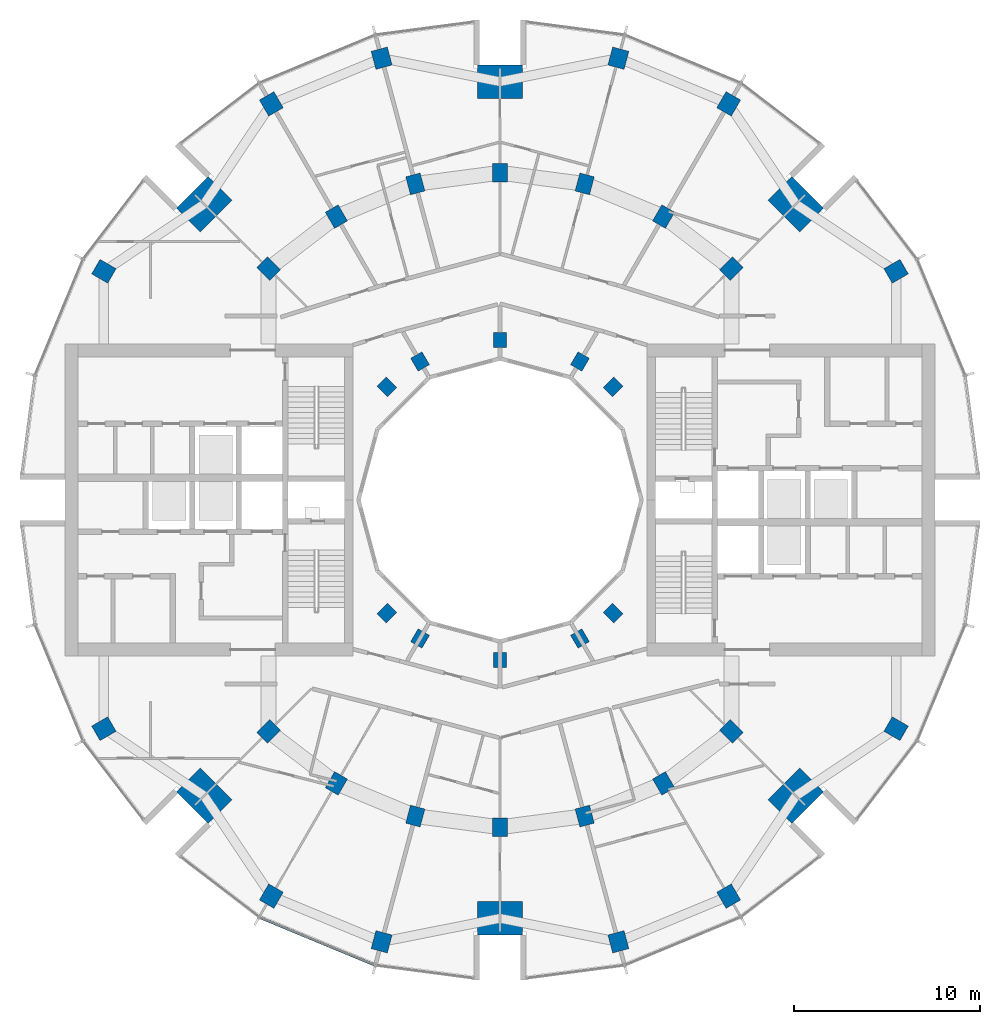
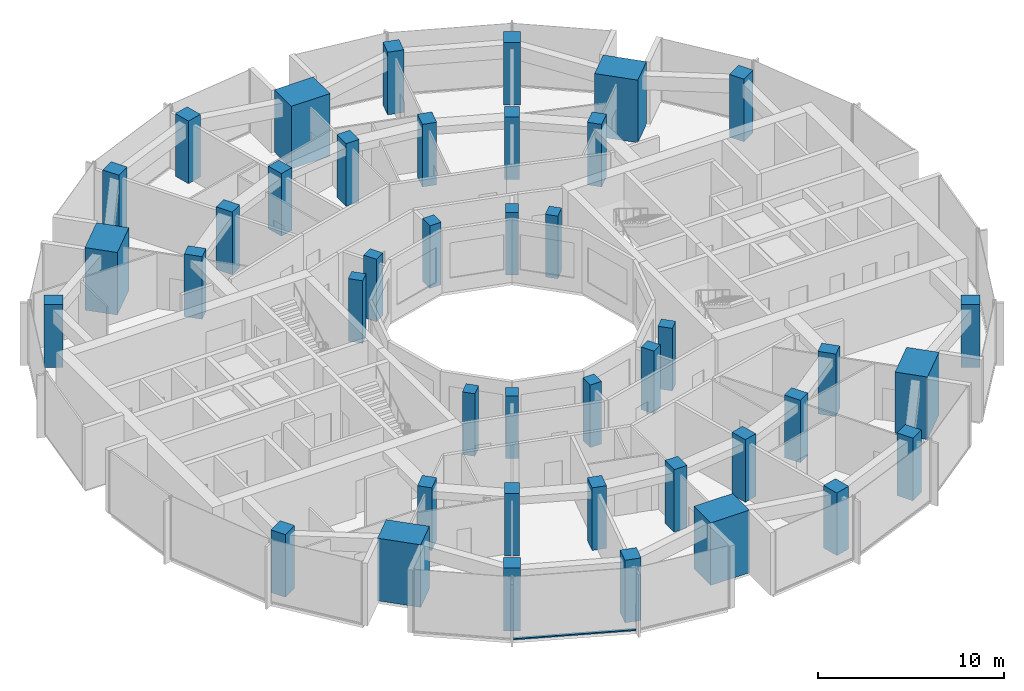
# One storey, part 1 of 15: 42 columns, 1 member, 1 element without a shape of its own.
"""IFC4 building model written with IfcOpenShell, lengths in metres."""

from ifc_helpers import new_model, si_unit, direction, frame, origin, origin_2d, place, context, subcontext, project, spatial, rectangle, extrude, material, layer, layer_set, material_profile, profile_set, type_object, element, aggregate, save


model = new_model("IFC4")

# Units and contexts
model_context = context("Model", 3, precision=1e-05, world=origin(), true_north=direction((0.0, 1.0)))
body_context = subcontext(model_context, "Body", "Model", "MODEL_VIEW")
ifc_project = project(units=[si_unit("LENGTHUNIT", "METRE"), si_unit("AREAUNIT", "SQUARE_METRE"), si_unit("VOLUMEUNIT", "CUBIC_METRE"), si_unit("PLANEANGLEUNIT", "RADIAN"), si_unit("MASSUNIT", "GRAM", prefix="KILO")], contexts=[model_context])

# Site, building, storey
site_placement = place(None, origin())
site = spatial("IfcSite", under=ifc_project, at=site_placement, CompositionType="ELEMENT")
building_placement = place(site_placement, origin())
building = spatial("IfcBuilding", under=site, at=building_placement, Name="Torre Brocal", CompositionType="ELEMENT")
storey_placement = place(building_placement, frame((0.0, 0.0, 186.39990234375)))
storey = spatial("IfcBuildingStorey", under=building, at=storey_placement, Name="L43", CompositionType="ELEMENT", Elevation=186.39990234375)

# Columns
ifc_material_1 = material(Name="Concrete C70", Category="concrete")
ifc_material_profile_1 = material_profile(ifc_material_1, rectangle(XDim=1.0, YDim=0.800048828125, at=origin_2d()), Name="RC 1000X800")
ifc_profile_set_1 = profile_set([ifc_material_profile_1], Name="Concrete C70")
column_type_1 = type_object("IfcColumnType", Name="RC COLUMN 1000X800 C70", PredefinedType="COLUMN", material=ifc_profile_set_1)
for number, where, z_axis, x_axis, name in (
    (1, (92.445068359375, 87.445068359375, 0.0), (0.0, 0.0, 1.0), (0.707106781187, 0.707106781187, 0.0), "Column C-M03"),
    (2, (88.800048828125, 90.241943359375, 0.0), (0.0, 0.0, 1.0), (0.5, 0.866025403784, 0.0), "Column C-M04"),
    (3, (84.55517578125, 92.000244140625, 0.0), (0.0, 0.0, 1.0), (0.258819045103, 0.965925826289, 0.0), "Column C-M05"),
    (4, (80.0, 92.60009765625, 0.0), (0.0, 0.0, 1.0), (0.0, 1.0, 0.0), "Column C-M06"),
    (5, (75.44482421875, 92.000244140625, 0.0), (0.0, 0.0, 1.0), (-0.258819045103, 0.965925826289, 0.0), "Column C-M07"),
    (6, (71.199951171875, 90.241943359375, 0.0), (0.0, 0.0, 1.0), (-0.5, 0.866025403784, 0.0), "Column C-M08"),
    (7, (67.554931640625, 87.445068359375, 0.0), (0.0, 0.0, 1.0), (-0.707106781187, 0.707106781187, 0.0), "Column C-M09"),
    (8, (67.554931640625, 62.554931640625, 0.0), (0.0, 0.0, 1.0), (-0.707106781187, -0.707106781187, 0.0), "Column C-M15"),
    (9, (71.199951171875, 59.758056640625, 0.0), (0.0, 0.0, 1.0), (-0.5, -0.866025403784, 0.0), "Column C-M16"),
    (10, (75.44482421875, 57.999755859375, 0.0), (0.0, 0.0, 1.0), (-0.258819045103, -0.965925826289, 0.0), "Column C-M17"),
    (11, (80.0, 57.39990234375, 0.0), (0.0, 0.0, 1.0), (0.0, -1.0, 0.0), "Column C-M18"),
    (12, (84.55517578125, 57.999755859375, 0.0), (0.0, 0.0, 1.0), (0.258819045103, -0.965925826289, 0.0), "Column C-M19"),
    (13, (88.800048828125, 59.758056640625, 0.0), (0.0, 0.0, 1.0), (0.5, -0.866025403784, 0.0), "Column C-M20"),
    (14, (92.445068359375, 62.554931640625, 0.0), (0.0, 0.0, 1.0), (0.707106781187, -0.707106781187, 0.0), "Column C-M21"),
):
    element("IfcColumn", number, at=place(storey_placement, frame(where, z_axis=z_axis, x_axis=x_axis)), inside=storey, type_object=column_type_1, Name=name, PredefinedType="COLUMN", context=body_context, shape_type="SweptSolid", body=[
        extrude(rectangle(XDim=1.0, YDim=0.800048828125, at=origin_2d()), origin(), (0.0, 0.0, 1.0), 4.10009765625),
    ])
ifc_material_2 = material(Name="Concrete C70", Category="concrete")
ifc_material_profile_2 = material_profile(ifc_material_2, rectangle(XDim=1.0, YDim=0.89990234375, at=origin_2d()), Name="RC 1000X900")
ifc_profile_set_2 = profile_set([ifc_material_profile_2], Name="Concrete C70")
column_type_2 = type_object("IfcColumnType", Name="RC COLUMN 1000X900 C70", PredefinedType="COLUMN", material=ifc_profile_set_2)
for number, where, z_axis, x_axis, name in (
    (15, (101.30419921875, 87.300048828125, 0.0), (0.0, 0.0, 1.0), (0.866025403784, 0.5, 0.0), "Column C-O02"),
    (16, (92.300048828125, 96.30419921875, 0.0), (0.0, 0.0, 1.0), (0.5, 0.866025403784, 0.0), "Column C-O04"),
    (17, (86.366943359375, 98.76171875, 0.0), (0.0, 0.0, 1.0), (0.258819045103, 0.965925826289, 0.0), "Column C-O05"),
    (18, (73.633056640625, 98.76171875, 0.0), (0.0, 0.0, 1.0), (-0.258819045103, 0.965925826289, 0.0), "Column C-O07"),
    (19, (67.699951171875, 96.30419921875, 0.0), (0.0, 0.0, 1.0), (-0.5, 0.866025403784, 0.0), "Column C-O08"),
    (20, (58.69580078125, 87.300048828125, 0.0), (0.0, 0.0, 1.0), (-0.866025403784, 0.5, 0.0), "Column C-O10"),
    (21, (58.69580078125, 62.699951171875, 0.0), (0.0, 0.0, 1.0), (-0.866025403784, -0.5, 0.0), "Column C-O14"),
    (22, (67.699951171875, 53.69580078125, 0.0), (0.0, 0.0, 1.0), (-0.5, -0.866025403784, 0.0), "Column C-O16"),
    (23, (73.633056640625, 51.23828125, 0.0), (0.0, 0.0, 1.0), (-0.258819045103, -0.965925826289, 0.0), "Column C-O17"),
    (24, (86.366943359375, 51.23828125, 0.0), (0.0, 0.0, 1.0), (0.258819045103, -0.965925826289, 0.0), "Column C-O19"),
    (25, (92.300048828125, 53.69580078125, 0.0), (0.0, 0.0, 1.0), (0.5, -0.866025403784, 0.0), "Column C-O20"),
    (26, (101.30419921875, 62.699951171875, 0.0), (0.0, 0.0, 1.0), (0.866025403784, -0.5, 0.0), "Column C-O22"),
):
    element("IfcColumn", number, at=place(storey_placement, frame(where, z_axis=z_axis, x_axis=x_axis)), inside=storey, type_object=column_type_2, Name=name, PredefinedType="COLUMN", context=body_context, shape_type="SweptSolid", body=[
        extrude(rectangle(XDim=1.0, YDim=0.89990234375, at=origin_2d()), origin(), (0.0, 0.0, 1.0), 4.10009765625),
    ])
ifc_material_3 = material(Name="Concrete C70", Category="concrete")
ifc_material_profile_3 = material_profile(ifc_material_3, rectangle(XDim=1.800048828125, YDim=2.39990234375, at=origin_2d()), Name="RC 1800X2400")
ifc_profile_set_3 = profile_set([ifc_material_profile_3], Name="Concrete C70")
column_type_3 = type_object("IfcColumnType", Name="RC COLUMN 1800X2400 C70", PredefinedType="COLUMN", material=ifc_profile_set_3)
for number, where, z_axis, x_axis, name in (
    (27, (95.909912109375, 90.909912109375, 0.0), (0.0, 0.0, 1.0), (0.707106781187, 0.707106781187, 0.0), "Column MC-1"),
    (28, (80.0, 97.5, 0.0), (0.0, 0.0, 1.0), (0.0, 1.0, 0.0), "Column MC-2"),
    (29, (64.090087890625, 90.909912109375, 0.0), (0.0, 0.0, 1.0), (-0.707106781187, 0.707106781187, 0.0), "Column MC-3"),
    (30, (64.090087890625, 59.090087890625, 0.0), (0.0, 0.0, 1.0), (-0.707106781187, -0.707106781187, 0.0), "Column MC-5"),
    (31, (80.0, 52.5, 0.0), (0.0, 0.0, 1.0), (0.0, -1.0, 0.0), "Column MC-6"),
    (32, (95.909912109375, 59.090087890625, 0.0), (0.0, 0.0, 1.0), (0.707106781187, -0.707106781187, 0.0), "Column MC-7"),
):
    element("IfcColumn", number, at=place(storey_placement, frame(where, z_axis=z_axis, x_axis=x_axis)), inside=storey, type_object=column_type_3, Name=name, PredefinedType="COLUMN", context=body_context, shape_type="SweptSolid", body=[
        extrude(rectangle(XDim=1.800048828125, YDim=2.39990234375, at=origin_2d()), origin(), (0.0, 0.0, 1.0), 4.10009765625),
    ])
ifc_material_4 = material(Name="Concrete C70", Category="concrete")
ifc_material_profile_4 = material_profile(ifc_material_4, rectangle(XDim=0.800048828125, YDim=0.699951171875, at=origin_2d()), Name="RC 800X700")
ifc_profile_set_4 = profile_set([ifc_material_profile_4], Name="Concrete C70")
column_type_4 = type_object("IfcColumnType", Name="RC COLUMN 800X700 C70", PredefinedType="COLUMN", material=ifc_profile_set_4)
for number, where, z_axis, x_axis, name in (
    (33, (86.0810546875, 81.0810546875, 0.0), (0.0, 0.0, 1.0), (0.707106781187, 0.707106781187, 0.0), "Column C-I03"),
    (34, (84.300048828125, 82.44775390625, 0.0), (0.0, 0.0, 1.0), (0.5, 0.866025403784, 0.0), "Column C-I04"),
    (35, (80.0, 83.60009765625, 0.0), (0.0, 0.0, 1.0), (0.0, 1.0, 0.0), "Column C-I06"),
    (36, (75.699951171875, 82.44775390625, 0.0), (0.0, 0.0, 1.0), (-0.5, 0.866025403784, 0.0), "Column C-I08"),
    (37, (73.9189453125, 81.0810546875, 0.0), (0.0, 0.0, 1.0), (-0.707106781187, 0.707106781187, 0.0), "Column C-I09"),
    (38, (73.9189453125, 68.9189453125, 0.0), (0.0, 0.0, 1.0), (-0.707106781187, -0.707106781187, 0.0), "Column C-I15"),
    (39, (75.699951171875, 67.55224609375, 0.0), (0.0, 0.0, 1.0), (-0.5, -0.866025403784, 0.0), "Column C-I16"),
    (40, (80.0, 66.39990234375, 0.0), (0.0, 0.0, 1.0), (0.0, -1.0, 0.0), "Column C-I18"),
    (41, (84.300048828125, 67.55224609375, 0.0), (0.0, 0.0, 1.0), (0.5, -0.866025403784, 0.0), "Column C-I20"),
    (42, (86.0810546875, 68.9189453125, 0.0), (0.0, 0.0, 1.0), (0.707106781187, -0.707106781187, 0.0), "Column C-I21"),
):
    element("IfcColumn", number, at=place(storey_placement, frame(where, z_axis=z_axis, x_axis=x_axis)), inside=storey, type_object=column_type_4, Name=name, PredefinedType="COLUMN", context=body_context, shape_type="SweptSolid", body=[
        extrude(rectangle(XDim=0.800048828125, YDim=0.699951171875, at=origin_2d()), origin(), (0.0, 0.0, 1.0), 4.10009765625),
    ])

# Curtain wall, member
ifc_material_5 = material(Name="Aluminium and glass", Category="aluminium")
ifc_layer = layer(ifc_material_5, 0.199951171875)
ifc_layer_set = layer_set([ifc_layer], Name="Aluminium and glass")
curtain_wall_type = type_object("IfcCurtainWallType", Name="CW-1 CURTAIN WALL 4100 HIGH", PredefinedType="NOTDEFINED", material=ifc_layer_set)
curtain_wall_placement = place(storey_placement, origin())
curtain_wall = element("IfcCurtainWall", 43, at=curtain_wall_placement, inside=storey, type_object=curtain_wall_type, Name="CW-1 RUN 17", PredefinedType="NOTDEFINED")
ifc_material_6 = material(Name="Aluminium, dark anodised", Category="aluminium")
ifc_material_profile_5 = material_profile(ifc_material_6, rectangle(XDim=0.159912109375, YDim=0.080078125, at=origin_2d()), Name="CW-1 TRANSOM 160X80")
ifc_profile_set_5 = profile_set([ifc_material_profile_5], Name="Aluminium, dark anodised")
member_type = type_object("IfcMemberType", Name="CW-1 TRANSOM 160X80", PredefinedType="USERDEFINED", material=ifc_profile_set_5)
member_placement = place(storey_placement, frame((67.10595703125, 52.547607421875, 0.0400390625), z_axis=(0.923887344364, -0.38266457234, 0.0), x_axis=(0.38266457234, 0.923887344364, 0.0)))
member = element("IfcMember", 44, at=member_placement, type_object=member_type, Name="CW1-4 transom 1.1", ObjectType="TRANSOM", PredefinedType="USERDEFINED", context=body_context, shape_type="SweptSolid", body=[
    extrude(rectangle(XDim=0.159912109375, YDim=0.080078125, at=origin_2d()), origin(), (0.0, 0.0, 1.0), 6.640869140625),
])
aggregate(curtain_wall, [member])

save(model, "model.ifc")
